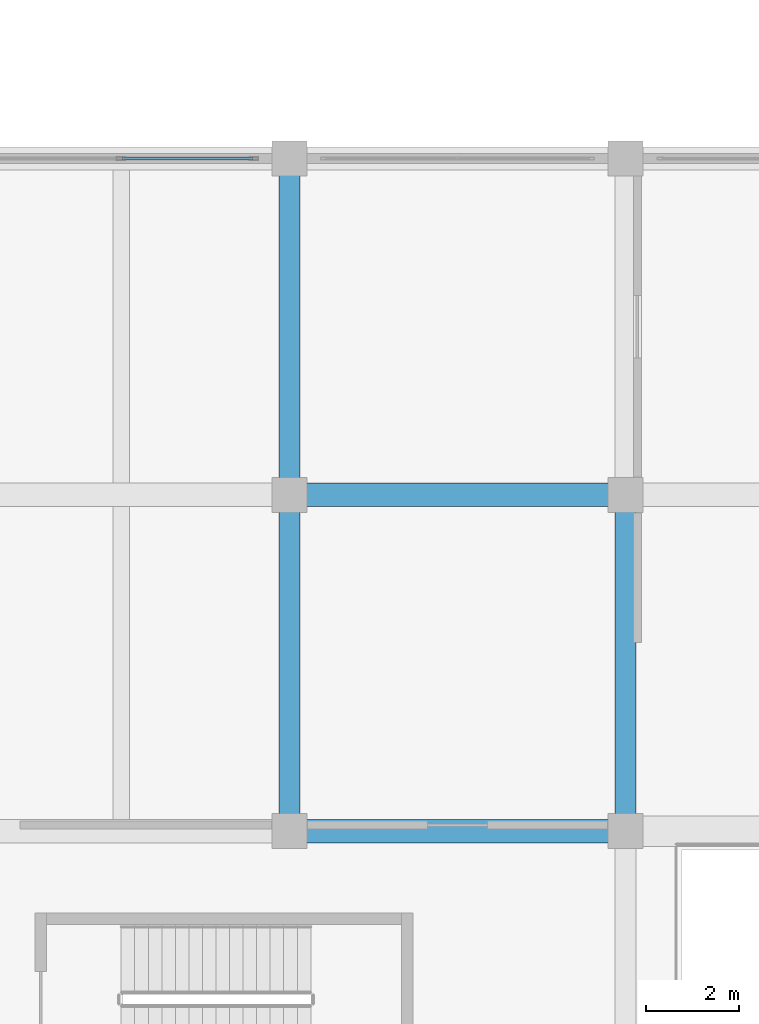
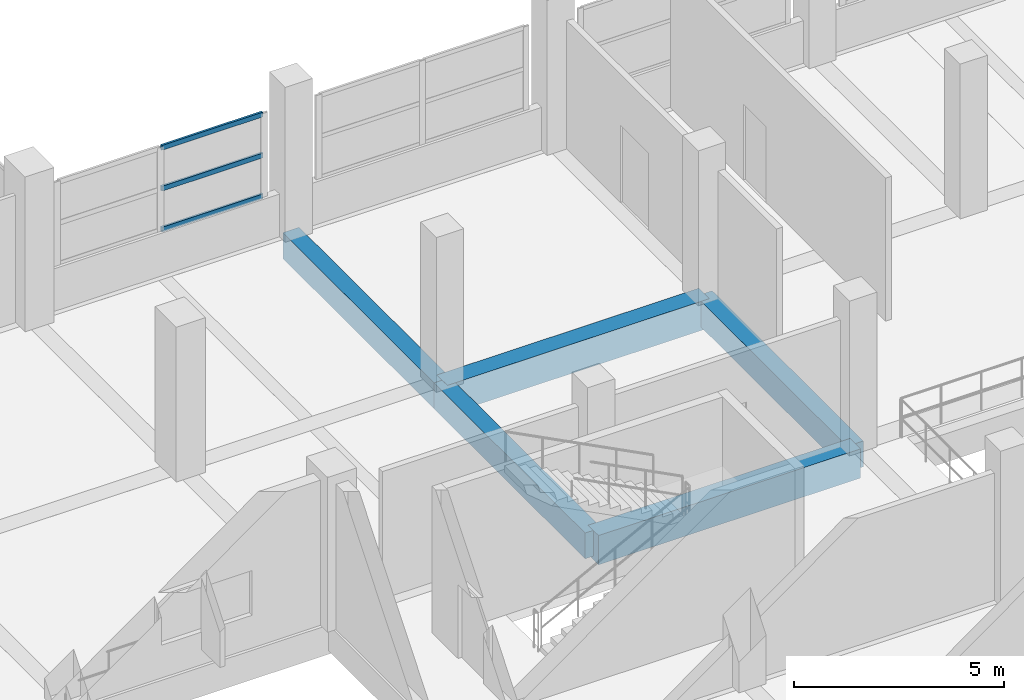
# One storey, part 13 of 141: 5 beams, 3 members, 1 element without a shape of its own.
"""IFC4 building model written with IfcOpenShell, lengths in metres."""

from ifc_helpers import new_model, si_unit, direction, frame, origin, origin_2d, place, context, subcontext, project, spatial, rectangle, hollow_rectangle, extrude, material, layer, layer_set, material_profile, profile_set, type_object, element, aggregate, save


model = new_model("IFC4")

# Units and contexts
model_context = context("Model", 3, precision=1e-05, world=origin(), true_north=direction((0.0, 1.0)))
body_context = subcontext(model_context, "Body", "Model", "MODEL_VIEW")
ifc_project = project(units=[si_unit("LENGTHUNIT", "METRE"), si_unit("AREAUNIT", "SQUARE_METRE"), si_unit("VOLUMEUNIT", "CUBIC_METRE"), si_unit("PLANEANGLEUNIT", "RADIAN"), si_unit("MASSUNIT", "GRAM", prefix="KILO")], contexts=[model_context])

# Site, building, storey
site_placement = place(None, origin())
site = spatial("IfcSite", under=ifc_project, at=site_placement, CompositionType="ELEMENT")
building_placement = place(site_placement, origin())
building = spatial("IfcBuilding", under=site, at=building_placement, Name="Seraya Terrace Polytechnic", CompositionType="ELEMENT")
storey_placement = place(building_placement, frame((0.0, 0.0, 14.39990234375)))
storey = spatial("IfcBuildingStorey", under=building, at=storey_placement, Name="L03", CompositionType="ELEMENT", Elevation=14.39990234375)

# Beams
ifc_material_1 = material(Name="Concrete C40/50", Category="concrete")
ifc_material_profile_1 = material_profile(ifc_material_1, rectangle(XDim=0.5, YDim=0.85009765625, at=origin_2d()), Name="RC 500x850")
ifc_profile_set_1 = profile_set([ifc_material_profile_1], Name="Concrete C40/50")
beam_type_1 = type_object("IfcBeamType", Name="BM-05", PredefinedType="BEAM", material=ifc_profile_set_1)
for number, where, z_axis, x_axis, name in (
    (1, (50.39990234375, 14.39990234375, -0.4248046875), (1.0, 0.0, 0.0), (0.0, 1.0, 0.0), "Beam BM-05 L03 X (50.4..57.6, 14.4)"),
    (2, (50.39990234375, 21.60009765625, -0.4248046875), (1.0, 0.0, 0.0), (0.0, 1.0, 0.0), "Beam BM-05 L03 X (50.4..57.6, 21.6)"),
):
    element("IfcBeam", number, at=place(storey_placement, frame(where, z_axis=z_axis, x_axis=x_axis)), inside=storey, type_object=beam_type_1, Name=name, PredefinedType="BEAM", context=body_context, shape_type="SweptSolid", body=[
        extrude(rectangle(XDim=0.5, YDim=0.85009765625, at=origin_2d()), origin(), (0.0, 0.0, 1.0), 7.2001953125),
    ])
ifc_material_profile_2 = material_profile(ifc_material_1, rectangle(XDim=0.449951171875, YDim=0.75, at=origin_2d()), Name="RC 450x750")
ifc_profile_set_2 = profile_set([ifc_material_profile_2], Name="Concrete C40/50")
beam_type_2 = type_object("IfcBeamType", Name="BM-08", PredefinedType="BEAM", material=ifc_profile_set_2)
beam_1_placement = place(storey_placement, frame((50.39990234375, 14.39990234375, -0.375), z_axis=(0.0, 1.0, 0.0), x_axis=(-1.0, 0.0, 0.0)))
element("IfcBeam", 3, at=beam_1_placement, inside=storey, type_object=beam_type_2, Name="Beam BM-08 L03 Y (50.4, 14.4..21.6)", PredefinedType="BEAM", context=body_context, shape_type="SweptSolid", body=[
    extrude(rectangle(XDim=0.449951171875, YDim=0.75, at=origin_2d()), origin(), (0.0, 0.0, 1.0), 7.2001953125),
])
beam_2_placement = place(storey_placement, frame((50.39990234375, 21.60009765625, -0.375), z_axis=(0.0, 1.0, 0.0), x_axis=(-1.0, 0.0, 0.0)))
element("IfcBeam", 4, at=beam_2_placement, inside=storey, type_object=beam_type_2, Name="Beam BM-08 L03 Y (50.4, 21.6..28.8)", PredefinedType="BEAM", context=body_context, shape_type="SweptSolid", body=[
    extrude(rectangle(XDim=0.449951171875, YDim=0.75, at=origin_2d()), origin(), (0.0, 0.0, 1.0), 7.199951171875),
])
beam_3_placement = place(storey_placement, frame((57.60009765625, 14.39990234375, -0.375), z_axis=(0.0, 1.0, 0.0), x_axis=(-1.0, 0.0, 0.0)))
element("IfcBeam", 5, at=beam_3_placement, inside=storey, type_object=beam_type_2, Name="Beam BM-08 L03 Y (57.6, 14.4..21.6)", PredefinedType="BEAM", context=body_context, shape_type="SweptSolid", body=[
    extrude(rectangle(XDim=0.449951171875, YDim=0.75, at=origin_2d()), origin(), (0.0, 0.0, 1.0), 7.2001953125),
])

# Curtain wall, members
ifc_material_2 = material(Name="Anodised aluminium EN AW-6063 T6", Category="aluminium")
ifc_layer = layer(ifc_material_2, 0.179931640625, Name="CW-07")
ifc_layer_set = layer_set([ifc_layer], Name="Anodised aluminium EN AW-6063 T6")
curtain_wall_type = type_object("IfcCurtainWallType", Name="CW-07", PredefinedType="NOTDEFINED", material=ifc_layer_set)
curtain_wall_placement = place(storey_placement, origin())
curtain_wall = element("IfcCurtainWall", 6, at=curtain_wall_placement, inside=storey, type_object=curtain_wall_type, Name="Unitised curtain wall CW-07 (CW-L03-151)", PredefinedType="NOTDEFINED")
ifc_material_profile_3 = material_profile(ifc_material_2, hollow_rectangle(XDim=0.06005859375, YDim=0.139892578125, WallThickness=0.00341796875, at=origin_2d()), Name="RHS 140x60x3.5")
ifc_profile_set_3 = profile_set([ifc_material_profile_3], Name="Anodised aluminium EN AW-6063 T6")
member_type = type_object("IfcMemberType", Name="CWT-01", PredefinedType="USERDEFINED", material=ifc_profile_set_3)
member_1_placement = place(storey_placement, frame((46.83251953125, 28.800048828125, 1.27001953125), z_axis=(1.0, 0.0, 0.0), x_axis=(0.0, 1.0, 0.0)))
member_1 = element("IfcMember", 7, at=member_1_placement, type_object=member_type, Name="CW-07 transom 2.1", ObjectType="TRANSOM", PredefinedType="USERDEFINED", context=body_context, shape_type="SweptSolid", body=[
    extrude(hollow_rectangle(XDim=0.06005859375, YDim=0.139892578125, WallThickness=0.00341796875, at=origin_2d()), origin(), (0.0, 0.0, 1.0), 2.782470703125),
])
member_2_placement = place(storey_placement, frame((46.83251953125, 28.800048828125, 2.460205078125), z_axis=(1.0, 0.0, 0.0), x_axis=(0.0, 1.0, 0.0)))
member_2 = element("IfcMember", 8, at=member_2_placement, type_object=member_type, Name="CW-07 transom 2.2", ObjectType="TRANSOM", PredefinedType="USERDEFINED", context=body_context, shape_type="SweptSolid", body=[
    extrude(hollow_rectangle(XDim=0.06005859375, YDim=0.139892578125, WallThickness=0.00341796875, at=origin_2d()), origin(), (0.0, 0.0, 1.0), 2.782470703125),
])
member_3_placement = place(storey_placement, frame((46.83251953125, 28.800048828125, 3.650146484375), z_axis=(1.0, 0.0, 0.0), x_axis=(0.0, 1.0, 0.0)))
member_3 = element("IfcMember", 9, at=member_3_placement, type_object=member_type, Name="CW-07 transom 2.3", ObjectType="TRANSOM", PredefinedType="USERDEFINED", context=body_context, shape_type="SweptSolid", body=[
    extrude(hollow_rectangle(XDim=0.06005859375, YDim=0.139892578125, WallThickness=0.00341796875, at=origin_2d()), origin(), (0.0, 0.0, 1.0), 2.782470703125),
])
aggregate(curtain_wall, [member_1, member_2, member_3])

save(model, "model.ifc")
